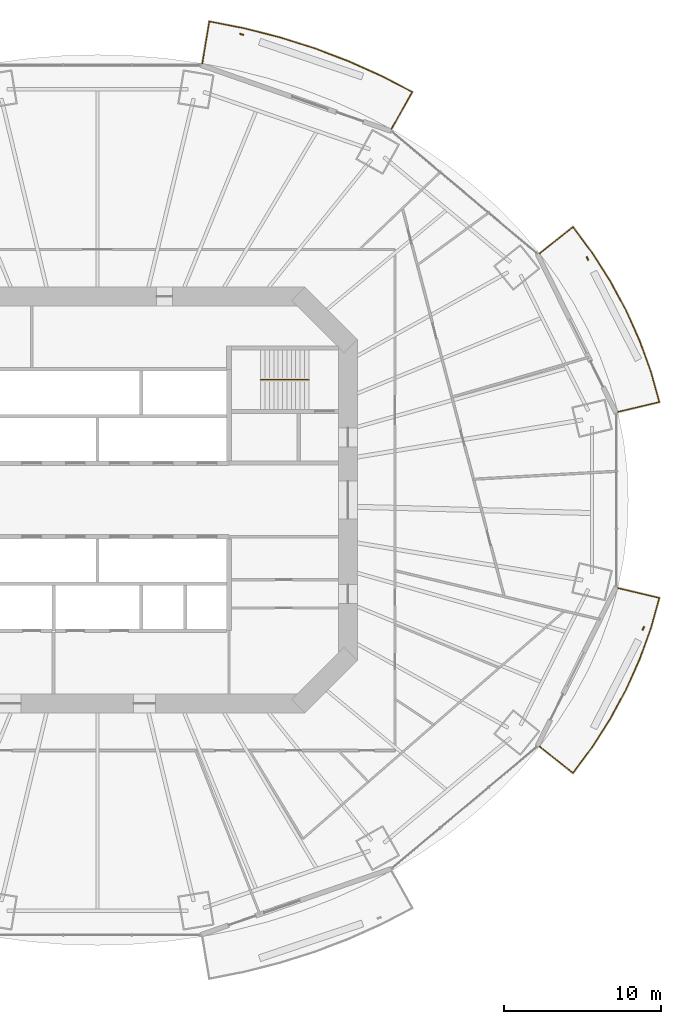
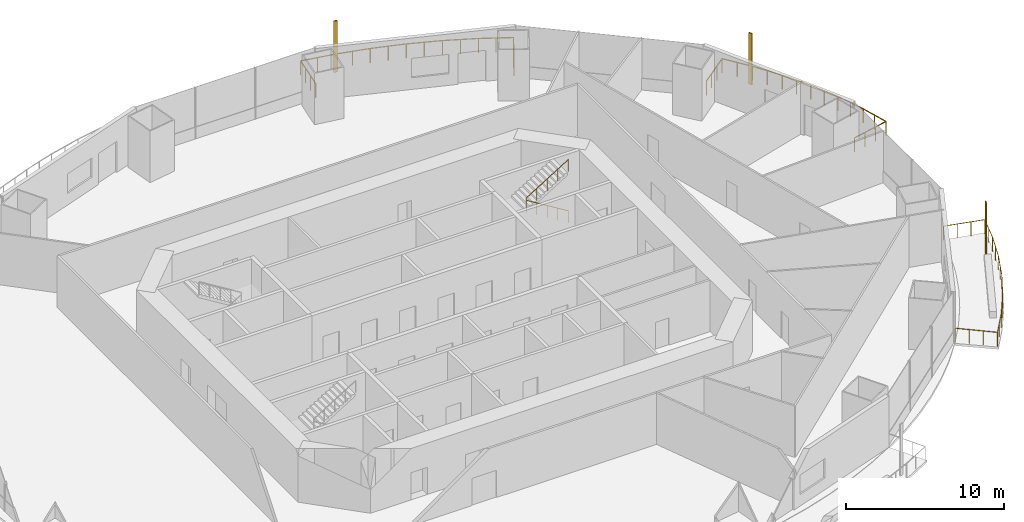
# One storey, part 20 of 21: 4 railings, 3 shading devices.
"""IFC4 building model written with IfcOpenShell, lengths in metres."""

import ifcopenshell
import ifcopenshell.guid

model = None  # the IFC model being written
_history = None  # IfcOwnerHistory: only IFC2X3 demands one
_inside = {}  # id of a spatial element -> (the spatial element, [elements in it])
_under = {}  # id of a project, library or spatial element -> (it, [spatial elements below it])
_declared = {}  # id of a project -> (the project, [libraries it declares])
_typed = {}  # id of a type object -> (the type object, [elements of that type])
_made_of = {}  # id of a material, layer set ... -> (it, [elements and type objects made of it])


def new_model(schema):
    """Start an empty IFC model of exactly this schema.

    Asked for "IFC4X3", IfcOpenShell would pick the latest addendum, in which some entities
    have other attributes; the version numbers below select the first issue.
    IFC2X3 requires an IfcOwnerHistory on every rooted entity: one is made here for all.
    """
    global model, _history
    if schema == "IFC4X3":
        model = ifcopenshell.file(schema_version=(4, 3, 0, 0))
    else:
        model = ifcopenshell.file(schema=schema)
    _inside.clear()
    _under.clear()
    _declared.clear()
    _typed.clear()
    _made_of.clear()
    _history = None
    if model.schema == "IFC2X3":
        org = make("IfcOrganization", Name="unknown")
        user = make(
            "IfcPersonAndOrganization",
            ThePerson=make("IfcPerson", FamilyName="unknown"),
            TheOrganization=org,
        )
        app = make(
            "IfcApplication",
            ApplicationDeveloper=org,
            Version="unknown",
            ApplicationFullName="unknown",
            ApplicationIdentifier="unknown",
        )
        _history = make(
            "IfcOwnerHistory",
            OwningUser=user,
            OwningApplication=app,
            ChangeAction="ADDED",
            CreationDate=0,
        )
    return model


def make(cls, **values):
    """One entity of the class cls with the attributes given. An attribute that is None is left unset."""
    return model.create_entity(
        cls, **{name: value for name, value in values.items() if value is not None}
    )


def rooted(cls, **values):
    """An entity with a GlobalId (a new one), such as an element, a storey or a relation."""
    return make(cls, GlobalId=ifcopenshell.guid.new(), OwnerHistory=_history, **values)


def si_unit(unit_type, name, prefix=None):
    """IfcSIUnit, for example si_unit("LENGTHUNIT", "METRE", prefix="MILLI")."""
    return make("IfcSIUnit", UnitType=unit_type, Prefix=prefix, Name=name)


def assignment(units):
    """IfcUnitAssignment: the units of a project."""
    return None if units is None else make("IfcUnitAssignment", Units=units)


def point(xyz):
    """IfcCartesianPoint."""
    return None if xyz is None else make("IfcCartesianPoint", Coordinates=xyz)


def direction(xyz):
    """IfcDirection."""
    return None if xyz is None else make("IfcDirection", DirectionRatios=xyz)


def frame(location, z_axis=None, x_axis=None):
    """IfcAxis2Placement3D, a coordinate frame: its origin and axes. An axis left out is left unset."""
    return make(
        "IfcAxis2Placement3D",
        Location=point(location),
        Axis=direction(z_axis),
        RefDirection=direction(x_axis),
    )


def frame_2d(location, x_axis=None):
    """IfcAxis2Placement2D, a coordinate frame in the plane: its origin and x axis."""
    return make(
        "IfcAxis2Placement2D", Location=point(location), RefDirection=direction(x_axis)
    )


def origin():
    """The frame at (0, 0, 0) with its axes left unset."""
    return frame((0.0, 0.0, 0.0))


def origin_2d():
    """The frame at (0, 0) in the plane with its x axis left unset."""
    return frame_2d((0.0, 0.0))


def place(relative_to, where):
    """IfcLocalPlacement: puts the frame where relative to a parent placement (None: the world)."""
    return make(
        "IfcLocalPlacement", PlacementRelTo=relative_to, RelativePlacement=where
    )


def context(
    kind, dimensions, precision=None, world=None, true_north=None, identifier=None
):
    """IfcGeometricRepresentationContext, for example the 3D "Model" context."""
    return make(
        "IfcGeometricRepresentationContext",
        ContextIdentifier=identifier,
        ContextType=kind,
        CoordinateSpaceDimension=dimensions,
        Precision=precision,
        WorldCoordinateSystem=world,
        TrueNorth=true_north,
    )


def subcontext(parent, identifier, kind, view, scale=None):
    """IfcGeometricRepresentationSubContext, for example "Body" below "Model"."""
    return make(
        "IfcGeometricRepresentationSubContext",
        ContextIdentifier=identifier,
        ContextType=kind,
        ParentContext=parent,
        TargetScale=scale,
        TargetView=view,
    )


def project(units=None, contexts=None):
    """IfcProject with its units and contexts."""
    return rooted(
        "IfcProject",
        Name="project",
        RepresentationContexts=contexts,
        UnitsInContext=assignment(units),
    )


def spatial(cls, under=None, at=None, **own):
    """A site, building, storey or space (cls), placed at a placement, below another one or the project."""
    s = rooted(cls, ObjectPlacement=at, **own)
    if under is not None:
        _under.setdefault(under.id(), (under, []))[1].append(s)
    return s


def profile(cls, at=None, kind="AREA", **sizes):
    """A parametric profile (cls). Its sizes go by their IFC names, for example OverallWidth=200.0."""
    return make(cls, ProfileType=kind, Position=at, **sizes)


def rectangle(**sizes):
    """IfcRectangleProfileDef."""
    return profile("IfcRectangleProfileDef", **sizes)


def circle(**sizes):
    """IfcCircleProfileDef."""
    return profile("IfcCircleProfileDef", **sizes)


def extrude(swept, where, along, depth):
    """IfcExtrudedAreaSolid: the profile swept, set in the frame where, extruded along a direction by depth."""
    return make(
        "IfcExtrudedAreaSolid",
        SweptArea=swept,
        Position=where,
        ExtrudedDirection=direction(along),
        Depth=depth,
    )


def shape(context_of_items, identifier, shape_type, items):
    """IfcShapeRepresentation: the items that make up one representation, for example the "Body"."""
    return make(
        "IfcShapeRepresentation",
        ContextOfItems=context_of_items,
        RepresentationIdentifier=identifier,
        RepresentationType=shape_type,
        Items=items,
    )


def material(Name=None, Category=None):
    """IfcMaterial."""
    return make("IfcMaterial", Name=Name, Category=Category)


def material_profile(
    of_material, cross_section, Name=None, Category=None, Priority=None
):
    """IfcMaterialProfile: a cross section and its material."""
    return make(
        "IfcMaterialProfile",
        Name=Name,
        Material=of_material,
        Profile=cross_section,
        Priority=Priority,
        Category=Category,
    )


def profile_set(profiles, Name=None, composite=None):
    """IfcMaterialProfileSet."""
    return make(
        "IfcMaterialProfileSet",
        Name=Name,
        MaterialProfiles=profiles,
        CompositeProfile=composite,
    )


def made_of(thing, what):
    """Note that an element or type object is made of a material, layer set ...; save() writes the relation."""
    if what is not None:
        _made_of.setdefault(what.id(), (what, []))[1].append(thing)
    return thing


def type_object(cls, material=None, **own):
    """A type object (cls), such as IfcWallType, which elements share."""
    return made_of(rooted(cls, **own), material)


def element(
    cls,
    number,
    at=None,
    inside=None,
    cuts=None,
    type_object=None,
    material=None,
    context=None,
    identifier="Body",
    shape_type=None,
    held_by="IfcProductDefinitionShape",
    body=None,
    shapes=None,
    **own,
):
    """One element of the class cls, such as IfcWall. Its Tag is "e" and its number.

    at: its placement. inside: the storey or other place that contains it. cuts: it is an
    opening in that element (IfcRelVoidsElement). A single representation is given by context,
    identifier, shape_type and body (its items); several are given by shapes. held_by: the class
    of the entity that holds the representations. save() writes the other relations.
    """
    e = rooted(cls, Tag="e%d" % number, ObjectPlacement=at, **own)
    if body is not None:
        shapes = [shape(context, identifier, shape_type, body)]
    if shapes is not None:
        e.Representation = make(held_by, Representations=shapes)
    if inside is not None:
        _inside.setdefault(inside.id(), (inside, []))[1].append(e)
    if cuts is not None:
        rooted(
            "IfcRelVoidsElement", RelatingBuildingElement=cuts, RelatedOpeningElement=e
        )
    if type_object is not None:
        _typed.setdefault(type_object.id(), (type_object, []))[1].append(e)
    return made_of(e, material)


def aggregate(whole, parts):
    """IfcRelAggregates: a whole, such as a stair, and the parts it consists of."""
    return rooted("IfcRelAggregates", RelatingObject=whole, RelatedObjects=parts)


def save(model, path):
    """Write the relations noted so far, then the file.

    IfcRelAggregates (storeys below a building ...), IfcRelContainedInSpatialStructure (elements
    in a storey), IfcRelDefinesByType, IfcRelAssociatesMaterial and IfcRelDeclares: one each for
    every whole, place, type object, material and project.
    """
    for whole, parts in _under.values():
        aggregate(whole, parts)
    for where, things in _inside.values():
        rooted(
            "IfcRelContainedInSpatialStructure",
            RelatedElements=things,
            RelatingStructure=where,
        )
    for kind, things in _typed.values():
        rooted("IfcRelDefinesByType", RelatedObjects=things, RelatingType=kind)
    for what, things in _made_of.values():
        rooted("IfcRelAssociatesMaterial", RelatedObjects=things, RelatingMaterial=what)
    for by, libraries in _declared.values():
        rooted("IfcRelDeclares", RelatingContext=by, RelatedDefinitions=libraries)
    model.write(path)


model = new_model("IFC4")

# Units and contexts
model_context = context("Model", 3, precision=1e-05, world=origin(), true_north=direction((0.0, 1.0)))
body_context = subcontext(model_context, "Body", "Model", "MODEL_VIEW")
ifc_project = project(units=[si_unit("LENGTHUNIT", "METRE"), si_unit("AREAUNIT", "SQUARE_METRE"), si_unit("VOLUMEUNIT", "CUBIC_METRE"), si_unit("PLANEANGLEUNIT", "RADIAN"), si_unit("MASSUNIT", "GRAM", prefix="KILO")], contexts=[model_context])

# Site, building, storey
site_placement = place(None, origin())
site = spatial("IfcSite", under=ifc_project, at=site_placement, CompositionType="ELEMENT")
building_placement = place(site_placement, origin())
building = spatial("IfcBuilding", under=site, at=building_placement, Name="Marenthal Gate Tower", CompositionType="ELEMENT")
storey_placement = place(building_placement, frame((0.0, 0.0, 124.300048828125)))
storey = spatial("IfcBuildingStorey", under=building, at=storey_placement, Name="L26", CompositionType="ELEMENT", Elevation=124.300048828125)

# Railings
ifc_material_1 = material(Name="Stainless steel", Category="steel")
railing_type_1 = type_object("IfcRailingType", Name="Balcony guard 1100", PredefinedType="GUARDRAIL", material=ifc_material_1)
railing_1_placement = place(storey_placement, frame((28.239990234375, 15.739013671875, 0.0)))
element("IfcRailing", 1, at=railing_1_placement, inside=storey, type_object=railing_type_1, Name="Balcony guard L26 bay 1", PredefinedType="GUARDRAIL", context=body_context, shape_type="SweptSolid", body=[
    extrude(circle(Radius=0.02392578125, at=origin_2d()), frame((0.0, 0.0, 1.076171875), z_axis=(0.782384075223, 0.622622270256, -0.014719626974), x_axis=(-0.622689732199, 0.782468847568, 0.0)), (0.0, 0.0, 1.0), 2.72021484375),
    extrude(circle(Radius=0.02392578125, at=origin_2d()), frame((2.128173828125, 1.693603515625, 1.0361328125), z_axis=(0.594457150675, -0.804127288438, 0.0), x_axis=(0.804127288438, 0.594457150675, 0.0)), (0.0, 0.0, 1.0), 2.077392578125),
    extrude(circle(Radius=0.02392578125, at=origin_2d()), frame((3.363037109375, 0.023193359375, 1.0361328125), z_axis=(0.537259241166, -0.843417161185, 0.0), x_axis=(0.843417161185, 0.537259241166, 0.0)), (0.0, 0.0, 1.0), 2.140380859375),
    extrude(circle(Radius=0.02392578125, at=origin_2d()), frame((4.512939453125, -1.781982421875, 1.0361328125), z_axis=(0.475168488039, -0.879894827792, 0.0), x_axis=(0.879894827792, 0.475168488039, 0.0)), (0.0, 0.0, 1.0), 2.12451171875),
    extrude(circle(Radius=0.02392578125, at=origin_2d()), frame((5.5224609375, -3.6513671875, 1.0361328125), z_axis=(0.409344821555, -0.912379754853, 0.0), x_axis=(0.912379754853, 0.409344821555, 0.0)), (0.0, 0.0, 1.0), 2.11083984375),
    extrude(circle(Radius=0.02392578125, at=origin_2d()), frame((6.386474609375, -5.5771484375, 1.0361328125), z_axis=(0.340033207947, -0.940413429026, 0.0), x_axis=(0.940413429026, 0.340033207947, 0.0)), (0.0, 0.0, 1.0), 2.0986328125),
    extrude(circle(Radius=0.02392578125, at=origin_2d()), frame((7.10009765625, -7.55078125, 1.0361328125), z_axis=(0.269210641776, -0.963081320738, 0.0), x_axis=(0.963081320738, 0.269210641776, 0.0)), (0.0, 0.0, 1.0), 2.0087890625),
    extrude(circle(Radius=0.02392578125, at=origin_2d()), frame((7.640869140625, -9.4853515625, 1.0361328125), z_axis=(-0.972966930586, -0.230474963356, 0.014718806071), x_axis=(0.230499932836, -0.973072341074, 0.0)), (0.0, 0.0, 1.0), 2.72021484375),
    extrude(circle(Radius=0.02099609375, at=origin_2d()), origin(), (0.0, 0.0, 1.0), 1.052001953125),
    extrude(circle(Radius=0.02099609375, at=origin_2d()), frame((0.70947265625, 0.564453125, -0.013427734375)), (0.0, 0.0, 1.0), 1.052001953125),
    extrude(circle(Radius=0.02099609375, at=origin_2d()), frame((1.418701171875, 1.129150390625, -0.026611328125)), (0.0, 0.0, 1.0), 1.052001953125),
    extrude(circle(Radius=0.02099609375, at=origin_2d()), frame((2.128173828125, 1.693603515625, -0.0400390625)), (0.0, 0.0, 1.0), 1.052001953125),
    extrude(circle(Radius=0.02099609375, at=origin_2d()), frame((2.74560546875, 0.8583984375, -0.0400390625)), (0.0, 0.0, 1.0), 1.052001953125),
    extrude(circle(Radius=0.02099609375, at=origin_2d()), frame((3.363037109375, 0.023193359375, -0.0400390625)), (0.0, 0.0, 1.0), 1.052001953125),
    extrude(circle(Radius=0.02099609375, at=origin_2d()), frame((3.93798828125, -0.87939453125, -0.0400390625)), (0.0, 0.0, 1.0), 1.052001953125),
    extrude(circle(Radius=0.02099609375, at=origin_2d()), frame((4.512939453125, -1.781982421875, -0.0400390625)), (0.0, 0.0, 1.0), 1.052001953125),
    extrude(circle(Radius=0.02099609375, at=origin_2d()), frame((5.017578125, -2.716796875, -0.0400390625)), (0.0, 0.0, 1.0), 1.052001953125),
    extrude(circle(Radius=0.02099609375, at=origin_2d()), frame((5.5224609375, -3.6513671875, -0.0400390625)), (0.0, 0.0, 1.0), 1.052001953125),
    extrude(circle(Radius=0.02099609375, at=origin_2d()), frame((5.95458984375, -4.6142578125, -0.0400390625)), (0.0, 0.0, 1.0), 1.052001953125),
    extrude(circle(Radius=0.02099609375, at=origin_2d()), frame((6.386474609375, -5.5771484375, -0.0400390625)), (0.0, 0.0, 1.0), 1.052001953125),
    extrude(circle(Radius=0.02099609375, at=origin_2d()), frame((6.7431640625, -6.56396484375, -0.0400390625)), (0.0, 0.0, 1.0), 1.052001953125),
    extrude(circle(Radius=0.02099609375, at=origin_2d()), frame((7.10009765625, -7.55078125, -0.0400390625)), (0.0, 0.0, 1.0), 1.052001953125),
    extrude(circle(Radius=0.02099609375, at=origin_2d()), frame((7.37060546875, -8.51806640625, -0.0400390625)), (0.0, 0.0, 1.0), 1.052001953125),
    extrude(circle(Radius=0.02099609375, at=origin_2d()), frame((7.640869140625, -9.4853515625, -0.0400390625)), (0.0, 0.0, 1.0), 1.052001953125),
    extrude(circle(Radius=0.02099609375, at=origin_2d()), frame((6.758544921875, -9.6943359375, -0.026611328125)), (0.0, 0.0, 1.0), 1.052001953125),
    extrude(circle(Radius=0.02099609375, at=origin_2d()), frame((5.87646484375, -9.9033203125, -0.013427734375)), (0.0, 0.0, 1.0), 1.052001953125),
    extrude(circle(Radius=0.02099609375, at=origin_2d()), frame((4.994140625, -10.1123046875, 0.0)), (0.0, 0.0, 1.0), 1.052001953125),
])
railing_2_placement = place(storey_placement, frame((6.693115234375, 27.88232421875, 0.0)))
element("IfcRailing", 2, at=railing_2_placement, inside=storey, type_object=railing_type_1, Name="Balcony guard L26 bay 3", PredefinedType="GUARDRAIL", context=body_context, shape_type="SweptSolid", body=[
    extrude(circle(Radius=0.02392578125, at=origin_2d()), frame((0.0, 0.0, 1.076171875), z_axis=(0.164774109377, 0.986221507592, -0.014718384498), x_axis=(-0.986328347949, 0.164791959854, 0.0)), (0.0, 0.0, 1.0), 2.720458984375),
    extrude(circle(Radius=0.02392578125, at=origin_2d()), frame((0.4482421875, 2.682861328125, 1.0361328125), z_axis=(0.981203457672, -0.192976098658, 0.0), x_axis=(0.192976098658, 0.981203457672, 0.0)), (0.0, 0.0, 1.0), 2.2734375),
    extrude(circle(Radius=0.02392578125, at=origin_2d()), frame((2.678955078125, 2.244140625, 1.0361328125), z_axis=(0.969104417167, -0.246650823286, 0.0), x_axis=(0.246650823286, 0.969104417167, 0.0)), (0.0, 0.0, 1.0), 2.343994140625),
    extrude(circle(Radius=0.02392578125, at=origin_2d()), frame((4.950439453125, 1.666015625, 1.0361328125), z_axis=(0.953617459754, -0.301021162798, 0.0), x_axis=(0.301021162798, 0.953617459754, 0.0)), (0.0, 0.0, 1.0), 2.33251953125),
    extrude(circle(Radius=0.02392578125, at=origin_2d()), frame((7.1748046875, 0.9638671875, 1.0361328125), z_axis=(0.934727645052, -0.355364924515, 0.0), x_axis=(0.355364924515, 0.934727645052, 0.0)), (0.0, 0.0, 1.0), 2.3193359375),
    extrude(circle(Radius=0.02392578125, at=origin_2d()), frame((9.3427734375, 0.1396484375, 1.0361328125), z_axis=(0.912452038961, -0.409183670979, 0.0), x_axis=(0.409183670979, 0.912452038961, 0.0)), (0.0, 0.0, 1.0), 2.30419921875),
    extrude(circle(Radius=0.02392578125, at=origin_2d()), frame((11.4453125, -0.80322265625, 1.0361328125), z_axis=(0.887124453904, -0.461530284257, 0.0), x_axis=(0.461530284257, 0.887124453904, 0.0)), (0.0, 0.0, 1.0), 2.2080078125),
    extrude(circle(Radius=0.02392578125, at=origin_2d()), frame((13.404052734375, -1.822265625, 1.0361328125), z_axis=(-0.489197979897, -0.87204857286, 0.014718119373), x_axis=(0.872143041114, -0.489250974283, 0.0)), (0.0, 0.0, 1.0), 2.720458984375),
    extrude(circle(Radius=0.02099609375, at=origin_2d()), origin(), (0.0, 0.0, 1.0), 1.052001953125),
    extrude(circle(Radius=0.02099609375, at=origin_2d()), frame((0.1494140625, 0.894287109375, -0.013427734375)), (0.0, 0.0, 1.0), 1.052001953125),
    extrude(circle(Radius=0.02099609375, at=origin_2d()), frame((0.298828125, 1.78857421875, -0.026611328125)), (0.0, 0.0, 1.0), 1.052001953125),
    extrude(circle(Radius=0.02099609375, at=origin_2d()), frame((0.4482421875, 2.682861328125, -0.0400390625)), (0.0, 0.0, 1.0), 1.052001953125),
    extrude(circle(Radius=0.02099609375, at=origin_2d()), frame((1.5634765625, 2.46337890625, -0.0400390625)), (0.0, 0.0, 1.0), 1.052001953125),
    extrude(circle(Radius=0.02099609375, at=origin_2d()), frame((2.678955078125, 2.244140625, -0.0400390625)), (0.0, 0.0, 1.0), 1.052001953125),
    extrude(circle(Radius=0.02099609375, at=origin_2d()), frame((3.814697265625, 1.955078125, -0.0400390625)), (0.0, 0.0, 1.0), 1.052001953125),
    extrude(circle(Radius=0.02099609375, at=origin_2d()), frame((4.950439453125, 1.666015625, -0.0400390625)), (0.0, 0.0, 1.0), 1.052001953125),
    extrude(circle(Radius=0.02099609375, at=origin_2d()), frame((6.0625, 1.31494140625, -0.0400390625)), (0.0, 0.0, 1.0), 1.052001953125),
    extrude(circle(Radius=0.02099609375, at=origin_2d()), frame((7.1748046875, 0.9638671875, -0.0400390625)), (0.0, 0.0, 1.0), 1.052001953125),
    extrude(circle(Radius=0.02099609375, at=origin_2d()), frame((8.2587890625, 0.5517578125, -0.0400390625)), (0.0, 0.0, 1.0), 1.052001953125),
    extrude(circle(Radius=0.02099609375, at=origin_2d()), frame((9.3427734375, 0.1396484375, -0.0400390625)), (0.0, 0.0, 1.0), 1.052001953125),
    extrude(circle(Radius=0.02099609375, at=origin_2d()), frame((10.39404296875, -0.331787109375, -0.0400390625)), (0.0, 0.0, 1.0), 1.052001953125),
    extrude(circle(Radius=0.02099609375, at=origin_2d()), frame((11.4453125, -0.80322265625, -0.0400390625)), (0.0, 0.0, 1.0), 1.052001953125),
    extrude(circle(Radius=0.02099609375, at=origin_2d()), frame((12.4248046875, -1.312744140625, -0.0400390625)), (0.0, 0.0, 1.0), 1.052001953125),
    extrude(circle(Radius=0.02099609375, at=origin_2d()), frame((13.404052734375, -1.822265625, -0.0400390625)), (0.0, 0.0, 1.0), 1.052001953125),
    extrude(circle(Radius=0.02099609375, at=origin_2d()), frame((12.96044921875, -2.613037109375, -0.026611328125)), (0.0, 0.0, 1.0), 1.052001953125),
    extrude(circle(Radius=0.02099609375, at=origin_2d()), frame((12.516845703125, -3.40380859375, -0.013427734375)), (0.0, 0.0, 1.0), 1.052001953125),
    extrude(circle(Radius=0.02099609375, at=origin_2d()), frame((12.0732421875, -4.194580078125, 0.0)), (0.0, 0.0, 1.0), 1.052001953125),
])
railing_3_placement = place(storey_placement, frame((33.234130859375, -5.626708984375, 0.0)))
element("IfcRailing", 3, at=railing_3_placement, inside=storey, type_object=railing_type_1, Name="Balcony guard L26 bay 15", PredefinedType="GUARDRAIL", context=body_context, shape_type="SweptSolid", body=[
    extrude(circle(Radius=0.02392578125, at=origin_2d()), frame((0.0, 0.0, 1.076171875), z_axis=(0.972966930586, -0.230474963356, -0.014718806071), x_axis=(0.230499932836, 0.973072341074, 0.0)), (0.0, 0.0, 1.0), 2.72021484375),
    extrude(circle(Radius=0.02392578125, at=origin_2d()), frame((2.646728515625, -0.626953125, 1.0361328125), z_axis=(-0.269210641776, -0.963081320738, 0.0), x_axis=(0.963081320738, -0.269210641776, 0.0)), (0.0, 0.0, 1.0), 2.0087890625),
    extrude(circle(Radius=0.02392578125, at=origin_2d()), frame((2.10595703125, -2.5615234375, 1.0361328125), z_axis=(-0.340033207947, -0.940413429026, 0.0), x_axis=(0.940413429026, -0.340033207947, 0.0)), (0.0, 0.0, 1.0), 2.0986328125),
    extrude(circle(Radius=0.02392578125, at=origin_2d()), frame((1.392333984375, -4.53515625, 1.0361328125), z_axis=(-0.409344821555, -0.912379754853, 0.0), x_axis=(0.912379754853, -0.409344821555, 0.0)), (0.0, 0.0, 1.0), 2.11083984375),
    extrude(circle(Radius=0.02392578125, at=origin_2d()), frame((0.5283203125, -6.4609375, 1.0361328125), z_axis=(-0.475168488039, -0.879894827792, 0.0), x_axis=(0.879894827792, -0.475168488039, 0.0)), (0.0, 0.0, 1.0), 2.12451171875),
    extrude(circle(Radius=0.02392578125, at=origin_2d()), frame((-0.481201171875, -8.330322265625, 1.0361328125), z_axis=(-0.537259241166, -0.843417161185, 0.0), x_axis=(0.843417161185, -0.537259241166, 0.0)), (0.0, 0.0, 1.0), 2.140380859375),
    extrude(circle(Radius=0.02392578125, at=origin_2d()), frame((-1.631103515625, -10.135498046875, 1.0361328125), z_axis=(-0.594457150675, -0.804127288438, 0.0), x_axis=(0.804127288438, -0.594457150675, 0.0)), (0.0, 0.0, 1.0), 2.077392578125),
    extrude(circle(Radius=0.02392578125, at=origin_2d()), frame((-2.865966796875, -11.805908203125, 1.0361328125), z_axis=(-0.782384075223, 0.622622270256, 0.014719626974), x_axis=(-0.622689732199, -0.782468847568, 0.0)), (0.0, 0.0, 1.0), 2.72021484375),
    extrude(circle(Radius=0.02099609375, at=origin_2d()), origin(), (0.0, 0.0, 1.0), 1.052001953125),
    extrude(circle(Radius=0.02099609375, at=origin_2d()), frame((0.88232421875, -0.208984375, -0.013427734375)), (0.0, 0.0, 1.0), 1.052001953125),
    extrude(circle(Radius=0.02099609375, at=origin_2d()), frame((1.764404296875, -0.41796875, -0.026611328125)), (0.0, 0.0, 1.0), 1.052001953125),
    extrude(circle(Radius=0.02099609375, at=origin_2d()), frame((2.646728515625, -0.626953125, -0.0400390625)), (0.0, 0.0, 1.0), 1.052001953125),
    extrude(circle(Radius=0.02099609375, at=origin_2d()), frame((2.37646484375, -1.59423828125, -0.0400390625)), (0.0, 0.0, 1.0), 1.052001953125),
    extrude(circle(Radius=0.02099609375, at=origin_2d()), frame((2.10595703125, -2.5615234375, -0.0400390625)), (0.0, 0.0, 1.0), 1.052001953125),
    extrude(circle(Radius=0.02099609375, at=origin_2d()), frame((1.7490234375, -3.54833984375, -0.0400390625)), (0.0, 0.0, 1.0), 1.052001953125),
    extrude(circle(Radius=0.02099609375, at=origin_2d()), frame((1.392333984375, -4.53515625, -0.0400390625)), (0.0, 0.0, 1.0), 1.052001953125),
    extrude(circle(Radius=0.02099609375, at=origin_2d()), frame((0.96044921875, -5.498046875, -0.0400390625)), (0.0, 0.0, 1.0), 1.052001953125),
    extrude(circle(Radius=0.02099609375, at=origin_2d()), frame((0.5283203125, -6.4609375, -0.0400390625)), (0.0, 0.0, 1.0), 1.052001953125),
    extrude(circle(Radius=0.02099609375, at=origin_2d()), frame((0.0234375, -7.3955078125, -0.0400390625)), (0.0, 0.0, 1.0), 1.052001953125),
    extrude(circle(Radius=0.02099609375, at=origin_2d()), frame((-0.481201171875, -8.330322265625, -0.0400390625)), (0.0, 0.0, 1.0), 1.052001953125),
    extrude(circle(Radius=0.02099609375, at=origin_2d()), frame((-1.05615234375, -9.23291015625, -0.0400390625)), (0.0, 0.0, 1.0), 1.052001953125),
    extrude(circle(Radius=0.02099609375, at=origin_2d()), frame((-1.631103515625, -10.135498046875, -0.0400390625)), (0.0, 0.0, 1.0), 1.052001953125),
    extrude(circle(Radius=0.02099609375, at=origin_2d()), frame((-2.24853515625, -10.970703125, -0.0400390625)), (0.0, 0.0, 1.0), 1.052001953125),
    extrude(circle(Radius=0.02099609375, at=origin_2d()), frame((-2.865966796875, -11.805908203125, -0.0400390625)), (0.0, 0.0, 1.0), 1.052001953125),
    extrude(circle(Radius=0.02099609375, at=origin_2d()), frame((-3.575439453125, -11.241455078125, -0.026611328125)), (0.0, 0.0, 1.0), 1.052001953125),
    extrude(circle(Radius=0.02099609375, at=origin_2d()), frame((-4.28466796875, -10.6767578125, -0.013427734375)), (0.0, 0.0, 1.0), 1.052001953125),
    extrude(circle(Radius=0.02099609375, at=origin_2d()), frame((-4.994140625, -10.1123046875, 0.0)), (0.0, 0.0, 1.0), 1.052001953125),
])
ifc_material_2 = material(Name="Stainless steel", Category="steel")
railing_type_2 = type_object("IfcRailingType", Name="Stair handrail", PredefinedType="HANDRAIL", material=ifc_material_2)
railing_4_placement = place(storey_placement, frame((13.5, 7.675048828125, 0.1728515625)))
element("IfcRailing", 4, at=railing_4_placement, inside=storey, type_object=railing_type_2, Name="Handrail ST3", PredefinedType="HANDRAIL", context=body_context, shape_type="SweptSolid", body=[
    extrude(circle(Radius=0.0224609375, at=origin_2d()), frame((0.0, 0.0, 0.927490234375), z_axis=(-0.850835241893, 0.0, 0.525432575268), x_axis=(0.0, -1.0, 0.0)), (0.0, 0.0, 1.0), 3.6201171875),
    extrude(circle(Radius=0.0224609375, at=origin_2d()), frame((-3.080078125, 0.0, 2.82958984375), z_axis=(0.0, 0.0, 1.0), x_axis=(1.0, 0.0, 0.0)), (0.0, 0.0, 1.0), 0.1728515625),
    extrude(circle(Radius=0.0224609375, at=origin_2d()), frame((-3.080078125, 0.0, 3.00244140625), z_axis=(0.850835241893, 0.0, 0.525432575268), x_axis=(0.0, 1.0, 0.0)), (0.0, 0.0, 1.0), 3.6201171875),
    extrude(circle(Radius=0.02001953125, at=origin_2d()), origin(), (0.0, 0.0, 1.0), 0.905029296875),
    extrude(circle(Radius=0.02001953125, at=origin_2d()), frame((-0.77001953125, 0.0, 0.4755859375)), (0.0, 0.0, 1.0), 0.905029296875),
    extrude(circle(Radius=0.02001953125, at=origin_2d()), frame((-1.5400390625, 0.0, 0.951171875)), (0.0, 0.0, 1.0), 0.905029296875),
    extrude(circle(Radius=0.02001953125, at=origin_2d()), frame((-2.31005859375, 0.0, 1.426513671875)), (0.0, 0.0, 1.0), 0.905029296875),
    extrude(circle(Radius=0.02001953125, at=origin_2d()), frame((-3.080078125, 0.0, 1.902099609375)), (0.0, 0.0, 1.0), 0.905029296875),
    extrude(circle(Radius=0.02001953125, at=origin_2d()), frame((-3.080078125, 0.0, 2.074951171875)), (0.0, 0.0, 1.0), 0.905029296875),
    extrude(circle(Radius=0.02001953125, at=origin_2d()), frame((-2.31005859375, 0.0, 2.550537109375)), (0.0, 0.0, 1.0), 0.905029296875),
    extrude(circle(Radius=0.02001953125, at=origin_2d()), frame((-1.5400390625, 0.0, 3.02587890625)), (0.0, 0.0, 1.0), 0.905029296875),
    extrude(circle(Radius=0.02001953125, at=origin_2d()), frame((-0.77001953125, 0.0, 3.50146484375)), (0.0, 0.0, 1.0), 0.905029296875),
    extrude(circle(Radius=0.02001953125, at=origin_2d()), frame((0.0, 0.0, 3.97705078125)), (0.0, 0.0, 1.0), 0.905029296875),
])

# Shading devices
ifc_material_3 = material(Name="Terracotta", Category="masonry")
ifc_material_profile = material_profile(ifc_material_3, rectangle(XDim=0.25, YDim=0.080078125, at=origin_2d()), Name="Terracotta baguette 250x80")
ifc_profile_set = profile_set([ifc_material_profile], Name="Terracotta")
shading_device_type = type_object("IfcShadingDeviceType", Name="Terracotta BAGUETTE SCREEN 250x80", PredefinedType="USERDEFINED", material=ifc_profile_set)
for number, where, z_axis, x_axis, name in (
    (5, (31.29296875, 15.42333984375, -0.0400390625), (0.0, 0.0, 1.0), (-0.442657811607, 0.896690616558, 0.0), "Terracotta BAGUETTE L26 bay 1R"),
    (6, (9.20361328125, 29.742919921875, -0.0400390625), (0.0, 0.0, 1.0), (-0.944576320007, 0.328291906207, 0.0), "Terracotta BAGUETTE L26 bay 3R"),
    (7, (34.85888671875, -8.199462890625, -0.0400390625), (0.0, 0.0, 1.0), (0.442657811607, 0.896690616558, 0.0), "Terracotta BAGUETTE L26 bay 15R"),
):
    element("IfcShadingDevice", number, at=place(storey_placement, frame(where, z_axis=z_axis, x_axis=x_axis)), inside=storey, type_object=shading_device_type, Name=name, ObjectType="BAGUETTE SCREEN", PredefinedType="USERDEFINED", context=body_context, shape_type="SweptSolid", body=[
        extrude(rectangle(XDim=0.25, YDim=0.080078125, at=origin_2d()), origin(), (0.0, 0.0, 1.0), 3.969970703125),
    ])

save(model, "model.ifc")
